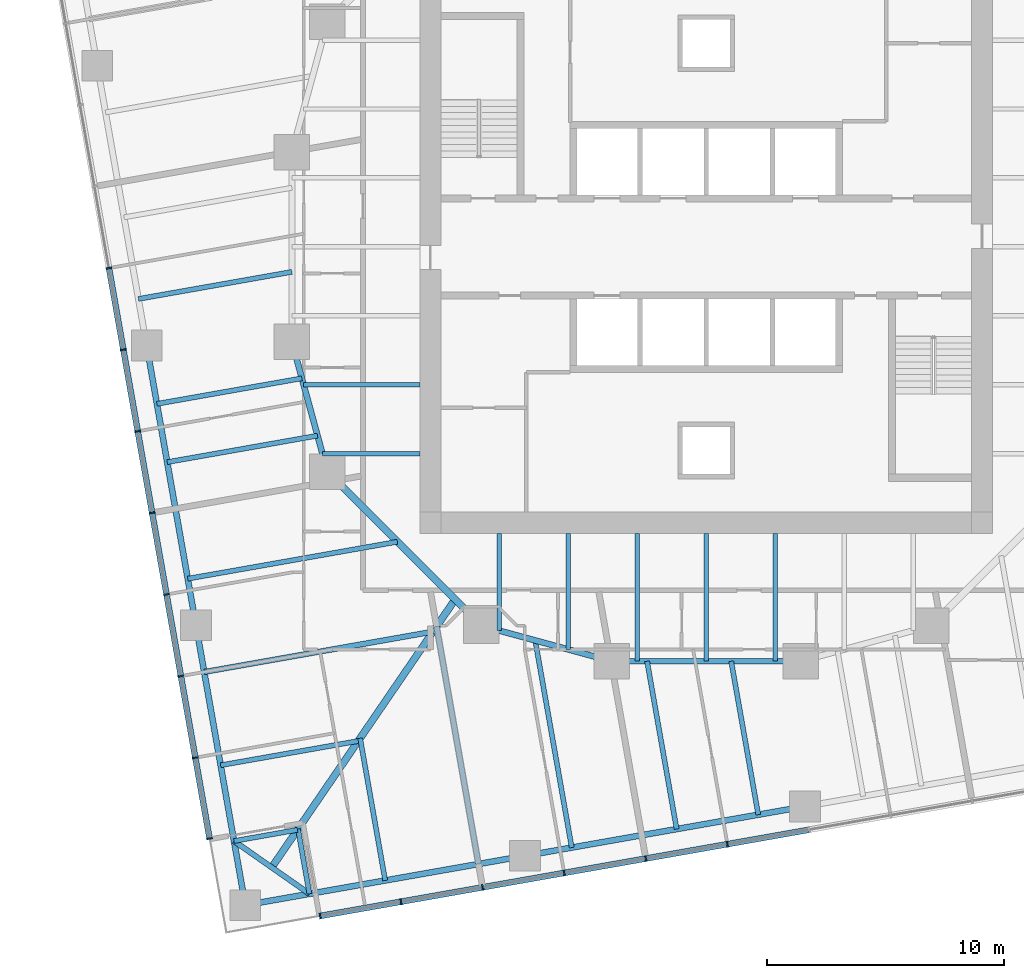
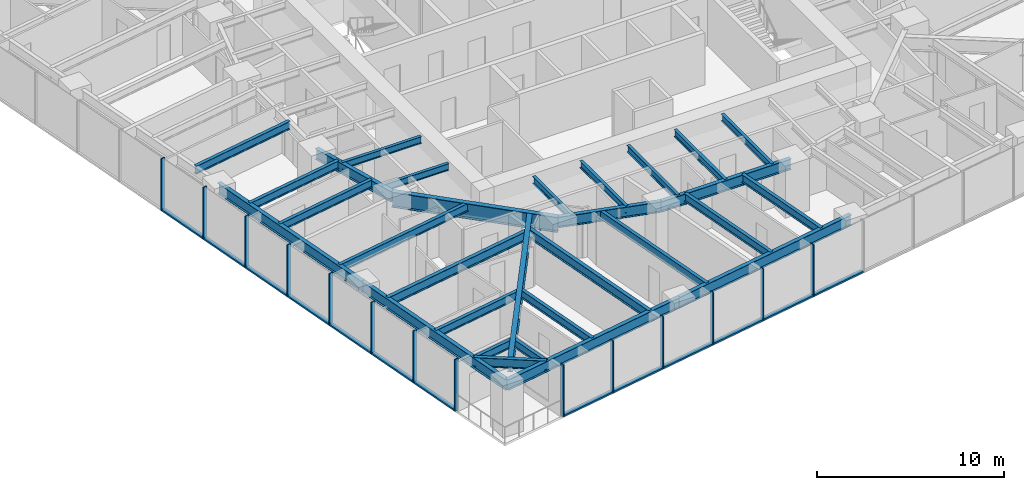
# One storey, part 2 of 14: 30 beams, 27 members, 2 elements without a shape of their own.
"""IFC4 building model written with IfcOpenShell, lengths in metres."""

import ifcopenshell
import ifcopenshell.guid

model = None  # the IFC model being written
_history = None  # IfcOwnerHistory: only IFC2X3 demands one
_inside = {}  # id of a spatial element -> (the spatial element, [elements in it])
_under = {}  # id of a project, library or spatial element -> (it, [spatial elements below it])
_declared = {}  # id of a project -> (the project, [libraries it declares])
_typed = {}  # id of a type object -> (the type object, [elements of that type])
_made_of = {}  # id of a material, layer set ... -> (it, [elements and type objects made of it])


def new_model(schema):
    """Start an empty IFC model of exactly this schema.

    Asked for "IFC4X3", IfcOpenShell would pick the latest addendum, in which some entities
    have other attributes; the version numbers below select the first issue.
    IFC2X3 requires an IfcOwnerHistory on every rooted entity: one is made here for all.
    """
    global model, _history
    if schema == "IFC4X3":
        model = ifcopenshell.file(schema_version=(4, 3, 0, 0))
    else:
        model = ifcopenshell.file(schema=schema)
    _inside.clear()
    _under.clear()
    _declared.clear()
    _typed.clear()
    _made_of.clear()
    _history = None
    if model.schema == "IFC2X3":
        org = make("IfcOrganization", Name="unknown")
        user = make(
            "IfcPersonAndOrganization",
            ThePerson=make("IfcPerson", FamilyName="unknown"),
            TheOrganization=org,
        )
        app = make(
            "IfcApplication",
            ApplicationDeveloper=org,
            Version="unknown",
            ApplicationFullName="unknown",
            ApplicationIdentifier="unknown",
        )
        _history = make(
            "IfcOwnerHistory",
            OwningUser=user,
            OwningApplication=app,
            ChangeAction="ADDED",
            CreationDate=0,
        )
    return model


def make(cls, **values):
    """One entity of the class cls with the attributes given. An attribute that is None is left unset."""
    return model.create_entity(
        cls, **{name: value for name, value in values.items() if value is not None}
    )


def rooted(cls, **values):
    """An entity with a GlobalId (a new one), such as an element, a storey or a relation."""
    return make(cls, GlobalId=ifcopenshell.guid.new(), OwnerHistory=_history, **values)


def si_unit(unit_type, name, prefix=None):
    """IfcSIUnit, for example si_unit("LENGTHUNIT", "METRE", prefix="MILLI")."""
    return make("IfcSIUnit", UnitType=unit_type, Prefix=prefix, Name=name)


def assignment(units):
    """IfcUnitAssignment: the units of a project."""
    return None if units is None else make("IfcUnitAssignment", Units=units)


def point(xyz):
    """IfcCartesianPoint."""
    return None if xyz is None else make("IfcCartesianPoint", Coordinates=xyz)


def direction(xyz):
    """IfcDirection."""
    return None if xyz is None else make("IfcDirection", DirectionRatios=xyz)


def frame(location, z_axis=None, x_axis=None):
    """IfcAxis2Placement3D, a coordinate frame: its origin and axes. An axis left out is left unset."""
    return make(
        "IfcAxis2Placement3D",
        Location=point(location),
        Axis=direction(z_axis),
        RefDirection=direction(x_axis),
    )


def frame_2d(location, x_axis=None):
    """IfcAxis2Placement2D, a coordinate frame in the plane: its origin and x axis."""
    return make(
        "IfcAxis2Placement2D", Location=point(location), RefDirection=direction(x_axis)
    )


def origin():
    """The frame at (0, 0, 0) with its axes left unset."""
    return frame((0.0, 0.0, 0.0))


def origin_2d():
    """The frame at (0, 0) in the plane with its x axis left unset."""
    return frame_2d((0.0, 0.0))


def place(relative_to, where):
    """IfcLocalPlacement: puts the frame where relative to a parent placement (None: the world)."""
    return make(
        "IfcLocalPlacement", PlacementRelTo=relative_to, RelativePlacement=where
    )


def context(
    kind, dimensions, precision=None, world=None, true_north=None, identifier=None
):
    """IfcGeometricRepresentationContext, for example the 3D "Model" context."""
    return make(
        "IfcGeometricRepresentationContext",
        ContextIdentifier=identifier,
        ContextType=kind,
        CoordinateSpaceDimension=dimensions,
        Precision=precision,
        WorldCoordinateSystem=world,
        TrueNorth=true_north,
    )


def subcontext(parent, identifier, kind, view, scale=None):
    """IfcGeometricRepresentationSubContext, for example "Body" below "Model"."""
    return make(
        "IfcGeometricRepresentationSubContext",
        ContextIdentifier=identifier,
        ContextType=kind,
        ParentContext=parent,
        TargetScale=scale,
        TargetView=view,
    )


def project(units=None, contexts=None):
    """IfcProject with its units and contexts."""
    return rooted(
        "IfcProject",
        Name="project",
        RepresentationContexts=contexts,
        UnitsInContext=assignment(units),
    )


def spatial(cls, under=None, at=None, **own):
    """A site, building, storey or space (cls), placed at a placement, below another one or the project."""
    s = rooted(cls, ObjectPlacement=at, **own)
    if under is not None:
        _under.setdefault(under.id(), (under, []))[1].append(s)
    return s


def profile(cls, at=None, kind="AREA", **sizes):
    """A parametric profile (cls). Its sizes go by their IFC names, for example OverallWidth=200.0."""
    return make(cls, ProfileType=kind, Position=at, **sizes)


def rectangle(**sizes):
    """IfcRectangleProfileDef."""
    return profile("IfcRectangleProfileDef", **sizes)


def i_section(**sizes):
    """IfcIShapeProfileDef."""
    return profile("IfcIShapeProfileDef", **sizes)


def extrude(swept, where, along, depth):
    """IfcExtrudedAreaSolid: the profile swept, set in the frame where, extruded along a direction by depth."""
    return make(
        "IfcExtrudedAreaSolid",
        SweptArea=swept,
        Position=where,
        ExtrudedDirection=direction(along),
        Depth=depth,
    )


def shape(context_of_items, identifier, shape_type, items):
    """IfcShapeRepresentation: the items that make up one representation, for example the "Body"."""
    return make(
        "IfcShapeRepresentation",
        ContextOfItems=context_of_items,
        RepresentationIdentifier=identifier,
        RepresentationType=shape_type,
        Items=items,
    )


def material(Name=None, Category=None):
    """IfcMaterial."""
    return make("IfcMaterial", Name=Name, Category=Category)


def material_profile(
    of_material, cross_section, Name=None, Category=None, Priority=None
):
    """IfcMaterialProfile: a cross section and its material."""
    return make(
        "IfcMaterialProfile",
        Name=Name,
        Material=of_material,
        Profile=cross_section,
        Priority=Priority,
        Category=Category,
    )


def profile_set(profiles, Name=None, composite=None):
    """IfcMaterialProfileSet."""
    return make(
        "IfcMaterialProfileSet",
        Name=Name,
        MaterialProfiles=profiles,
        CompositeProfile=composite,
    )


def made_of(thing, what):
    """Note that an element or type object is made of a material, layer set ...; save() writes the relation."""
    if what is not None:
        _made_of.setdefault(what.id(), (what, []))[1].append(thing)
    return thing


def type_object(cls, material=None, **own):
    """A type object (cls), such as IfcWallType, which elements share."""
    return made_of(rooted(cls, **own), material)


def element(
    cls,
    number,
    at=None,
    inside=None,
    cuts=None,
    type_object=None,
    material=None,
    context=None,
    identifier="Body",
    shape_type=None,
    held_by="IfcProductDefinitionShape",
    body=None,
    shapes=None,
    **own,
):
    """One element of the class cls, such as IfcWall. Its Tag is "e" and its number.

    at: its placement. inside: the storey or other place that contains it. cuts: it is an
    opening in that element (IfcRelVoidsElement). A single representation is given by context,
    identifier, shape_type and body (its items); several are given by shapes. held_by: the class
    of the entity that holds the representations. save() writes the other relations.
    """
    e = rooted(cls, Tag="e%d" % number, ObjectPlacement=at, **own)
    if body is not None:
        shapes = [shape(context, identifier, shape_type, body)]
    if shapes is not None:
        e.Representation = make(held_by, Representations=shapes)
    if inside is not None:
        _inside.setdefault(inside.id(), (inside, []))[1].append(e)
    if cuts is not None:
        rooted(
            "IfcRelVoidsElement", RelatingBuildingElement=cuts, RelatedOpeningElement=e
        )
    if type_object is not None:
        _typed.setdefault(type_object.id(), (type_object, []))[1].append(e)
    return made_of(e, material)


def aggregate(whole, parts):
    """IfcRelAggregates: a whole, such as a stair, and the parts it consists of."""
    return rooted("IfcRelAggregates", RelatingObject=whole, RelatedObjects=parts)


def save(model, path):
    """Write the relations noted so far, then the file.

    IfcRelAggregates (storeys below a building ...), IfcRelContainedInSpatialStructure (elements
    in a storey), IfcRelDefinesByType, IfcRelAssociatesMaterial and IfcRelDeclares: one each for
    every whole, place, type object, material and project.
    """
    for whole, parts in _under.values():
        aggregate(whole, parts)
    for where, things in _inside.values():
        rooted(
            "IfcRelContainedInSpatialStructure",
            RelatedElements=things,
            RelatingStructure=where,
        )
    for kind, things in _typed.values():
        rooted("IfcRelDefinesByType", RelatedObjects=things, RelatingType=kind)
    for what, things in _made_of.values():
        rooted("IfcRelAssociatesMaterial", RelatedObjects=things, RelatingMaterial=what)
    for by, libraries in _declared.values():
        rooted("IfcRelDeclares", RelatingContext=by, RelatedDefinitions=libraries)
    model.write(path)


model = new_model("IFC4")

# Units and contexts
model_context = context("Model", 3, precision=1e-05, world=origin(), true_north=direction((0.0, 1.0)))
body_context = subcontext(model_context, "Body", "Model", "MODEL_VIEW")
ifc_project = project(units=[si_unit("LENGTHUNIT", "METRE"), si_unit("AREAUNIT", "SQUARE_METRE"), si_unit("VOLUMEUNIT", "CUBIC_METRE"), si_unit("PLANEANGLEUNIT", "RADIAN"), si_unit("MASSUNIT", "GRAM", prefix="KILO")], contexts=[model_context])

# Site, building, storey
site_placement = place(None, origin())
site = spatial("IfcSite", under=ifc_project, at=site_placement, CompositionType="ELEMENT")
building_placement = place(site_placement, origin())
building = spatial("IfcBuilding", under=site, at=building_placement, Name="Torsade Residences", CompositionType="ELEMENT")
storey_placement = place(building_placement, frame((0.0, 0.0, 82.800048828125)))
storey = spatial("IfcBuildingStorey", under=building, at=storey_placement, Name="L22", CompositionType="ELEMENT", Elevation=82.800048828125)

# Beams
ifc_material_1 = material(Name="Steel grade 300", Category="steel")
ifc_material_profile_1 = material_profile(ifc_material_1, i_section(OverallWidth=0.300048828125, OverallDepth=0.89990234375, WebThickness=0.011962890625, FlangeThickness=0.02490234375, at=origin_2d()), Name="900WB175")
ifc_profile_set_1 = profile_set([ifc_material_profile_1], Name="Steel grade 300")
beam_type_1 = type_object("IfcBeamType", Name="CORNER GIRDER 900WB175", PredefinedType="BEAM", material=ifc_profile_set_1)
beam_1_placement = place(storey_placement, frame((21.6474609375, 3.7900390625, 2.800048828125), z_axis=(0.564724759437, 0.825279313977, 0.0), x_axis=(-0.825279313977, 0.564724759437, 0.0)))
element("IfcBeam", 1, at=beam_1_placement, inside=storey, type_object=beam_type_1, Name="Corner girder 01 L23", PredefinedType="BEAM", context=body_context, shape_type="SweptSolid", body=[
    extrude(i_section(OverallWidth=0.300048828125, OverallDepth=0.89990234375, WebThickness=0.011962890625, FlangeThickness=0.02490234375, at=origin_2d()), origin(), (0.0, 0.0, 1.0), 13.7138671875),
])
ifc_material_2 = material(Name="Steel grade 300", Category="steel")
ifc_material_profile_2 = material_profile(ifc_material_2, i_section(OverallWidth=0.22802734375, OverallDepth=0.60205078125, WebThickness=0.010498046875, FlangeThickness=0.014892578125, FilletRadius=0.013916015625, at=origin_2d()), Name="610UB101")
ifc_profile_set_2 = profile_set([ifc_material_profile_2], Name="Steel grade 300")
beam_type_2 = type_object("IfcBeamType", Name="CORNER TRIMMER 610UB101", PredefinedType="BEAM", material=ifc_profile_set_2)
beam_2_placement = place(storey_placement, frame((23.240478515625, 2.674560546875, 2.948974609375), z_axis=(-0.819152285145, 0.573576092373, 0.0), x_axis=(-0.573576092373, -0.819152285145, 0.0)))
element("IfcBeam", 2, at=beam_2_placement, inside=storey, type_object=beam_type_2, Name="Corner trimmer 01 L23", PredefinedType="BEAM", context=body_context, shape_type="SweptSolid", body=[
    extrude(i_section(OverallWidth=0.22802734375, OverallDepth=0.60205078125, WebThickness=0.010498046875, FlangeThickness=0.014892578125, FilletRadius=0.013916015625, at=origin_2d()), origin(), (0.0, 0.0, 1.0), 3.88916015625),
])

# Curtain wall, members
ifc_material_3 = material(Name="Aluminium and glass", Category="aluminium")
curtain_wall_type = type_object("IfcCurtainWallType", Name="FRITTED GLASS CURTAIN WALL LOW ZONE", PredefinedType="NOTDEFINED", material=ifc_material_3)
curtain_wall_1_placement = place(storey_placement, origin())
curtain_wall_1 = element("IfcCurtainWall", 3, at=curtain_wall_1_placement, inside=storey, type_object=curtain_wall_type, Name="Curtain wall L22 face 1", PredefinedType="NOTDEFINED")
ifc_material_4 = material(Name="Aluminium mullion", Category="aluminium")
ifc_material_profile_3 = material_profile(ifc_material_4, rectangle(XDim=0.25, YDim=0.06494140625, at=origin_2d()), Name="CURTAIN WALL MULLION 250x65")
ifc_profile_set_3 = profile_set([ifc_material_profile_3], Name="Aluminium mullion")
member_type_1 = type_object("IfcMemberType", Name="CURTAIN WALL MULLION 250x65", PredefinedType="MULLION", material=ifc_profile_set_3)
member_1_placement = place(storey_placement, frame((23.692138671875, 1.73876953125, 0.0), z_axis=(0.0, 0.0, 1.0), x_axis=(-0.173648192638, 0.984807750372, 0.0)))
member_1 = element("IfcMember", 4, at=member_1_placement, type_object=member_type_1, Name="Mullion 1", PredefinedType="MULLION", context=body_context, shape_type="SweptSolid", body=[
    extrude(rectangle(XDim=0.25, YDim=0.06494140625, at=origin_2d()), origin(), (0.0, 0.0, 1.0), 3.39990234375),
])
member_2_placement = place(storey_placement, frame((27.107177734375, 2.341064453125, 0.0), z_axis=(0.0, 0.0, 1.0), x_axis=(-0.173648192638, 0.984807750372, 0.0)))
member_2 = element("IfcMember", 5, at=member_2_placement, type_object=member_type_1, Name="Mullion 2", PredefinedType="MULLION", context=body_context, shape_type="SweptSolid", body=[
    extrude(rectangle(XDim=0.25, YDim=0.06494140625, at=origin_2d()), origin(), (0.0, 0.0, 1.0), 3.39990234375),
])
member_3_placement = place(storey_placement, frame((30.553955078125, 2.94873046875, 0.0), z_axis=(0.0, 0.0, 1.0), x_axis=(-0.173648192638, 0.984807750372, 0.0)))
member_3 = element("IfcMember", 6, at=member_3_placement, type_object=member_type_1, Name="Mullion 3", PredefinedType="MULLION", context=body_context, shape_type="SweptSolid", body=[
    extrude(rectangle(XDim=0.25, YDim=0.06494140625, at=origin_2d()), origin(), (0.0, 0.0, 1.0), 3.39990234375),
])
member_4_placement = place(storey_placement, frame((34.000732421875, 3.556396484375, 0.0), z_axis=(0.0, 0.0, 1.0), x_axis=(-0.173648192638, 0.984807750372, 0.0)))
member_4 = element("IfcMember", 7, at=member_4_placement, type_object=member_type_1, Name="Mullion 4", PredefinedType="MULLION", context=body_context, shape_type="SweptSolid", body=[
    extrude(rectangle(XDim=0.25, YDim=0.06494140625, at=origin_2d()), origin(), (0.0, 0.0, 1.0), 3.39990234375),
])
member_5_placement = place(storey_placement, frame((37.447509765625, 4.164306640625, 0.0), z_axis=(0.0, 0.0, 1.0), x_axis=(-0.173648192638, 0.984807750372, 0.0)))
member_5 = element("IfcMember", 8, at=member_5_placement, type_object=member_type_1, Name="Mullion 5", PredefinedType="MULLION", context=body_context, shape_type="SweptSolid", body=[
    extrude(rectangle(XDim=0.25, YDim=0.06494140625, at=origin_2d()), origin(), (0.0, 0.0, 1.0), 3.39990234375),
])
member_6_placement = place(storey_placement, frame((40.894287109375, 4.77197265625, 0.0), z_axis=(0.0, 0.0, 1.0), x_axis=(-0.173648192638, 0.984807750372, 0.0)))
member_6 = element("IfcMember", 9, at=member_6_placement, type_object=member_type_1, Name="Mullion 6", PredefinedType="MULLION", context=body_context, shape_type="SweptSolid", body=[
    extrude(rectangle(XDim=0.25, YDim=0.06494140625, at=origin_2d()), origin(), (0.0, 0.0, 1.0), 3.39990234375),
])

curtain_wall_2_placement = place(storey_placement, origin())
curtain_wall_2 = element("IfcCurtainWall", 10, at=curtain_wall_2_placement, inside=storey, type_object=curtain_wall_type, Name="Curtain wall L22 face 10", PredefinedType="NOTDEFINED")
member_7_placement = place(storey_placement, frame((14.77197265625, 29.105712890625, 0.0), z_axis=(0.0, 0.0, 1.0), x_axis=(0.984807750372, 0.173648192638, 0.0)))
member_7 = element("IfcMember", 11, at=member_7_placement, type_object=member_type_1, Name="Mullion 6", PredefinedType="MULLION", context=body_context, shape_type="SweptSolid", body=[
    extrude(rectangle(XDim=0.25, YDim=0.06494140625, at=origin_2d()), origin(), (0.0, 0.0, 1.0), 3.39990234375),
])
member_8_placement = place(storey_placement, frame((15.3798828125, 25.65869140625, 0.0), z_axis=(0.0, 0.0, 1.0), x_axis=(0.984807750372, 0.173648192638, 0.0)))
member_8 = element("IfcMember", 12, at=member_8_placement, type_object=member_type_1, Name="Mullion 7", PredefinedType="MULLION", context=body_context, shape_type="SweptSolid", body=[
    extrude(rectangle(XDim=0.25, YDim=0.06494140625, at=origin_2d()), origin(), (0.0, 0.0, 1.0), 3.39990234375),
])
member_9_placement = place(storey_placement, frame((15.987548828125, 22.2119140625, 0.0), z_axis=(0.0, 0.0, 1.0), x_axis=(0.984807750372, 0.173648192638, 0.0)))
member_9 = element("IfcMember", 13, at=member_9_placement, type_object=member_type_1, Name="Mullion 8", PredefinedType="MULLION", context=body_context, shape_type="SweptSolid", body=[
    extrude(rectangle(XDim=0.25, YDim=0.06494140625, at=origin_2d()), origin(), (0.0, 0.0, 1.0), 3.39990234375),
])
member_10_placement = place(storey_placement, frame((16.595458984375, 18.76513671875, 0.0), z_axis=(0.0, 0.0, 1.0), x_axis=(0.984807750372, 0.173648192638, 0.0)))
member_10 = element("IfcMember", 14, at=member_10_placement, type_object=member_type_1, Name="Mullion 9", PredefinedType="MULLION", context=body_context, shape_type="SweptSolid", body=[
    extrude(rectangle(XDim=0.25, YDim=0.06494140625, at=origin_2d()), origin(), (0.0, 0.0, 1.0), 3.39990234375),
])
member_11_placement = place(storey_placement, frame((17.203125, 15.318359375, 0.0), z_axis=(0.0, 0.0, 1.0), x_axis=(0.984807750372, 0.173648192638, 0.0)))
member_11 = element("IfcMember", 15, at=member_11_placement, type_object=member_type_1, Name="Mullion 10", PredefinedType="MULLION", context=body_context, shape_type="SweptSolid", body=[
    extrude(rectangle(XDim=0.25, YDim=0.06494140625, at=origin_2d()), origin(), (0.0, 0.0, 1.0), 3.39990234375),
])
member_12_placement = place(storey_placement, frame((17.810791015625, 11.87158203125, 0.0), z_axis=(0.0, 0.0, 1.0), x_axis=(0.984807750372, 0.173648192638, 0.0)))
member_12 = element("IfcMember", 16, at=member_12_placement, type_object=member_type_1, Name="Mullion 11", PredefinedType="MULLION", context=body_context, shape_type="SweptSolid", body=[
    extrude(rectangle(XDim=0.25, YDim=0.06494140625, at=origin_2d()), origin(), (0.0, 0.0, 1.0), 3.39990234375),
])
member_13_placement = place(storey_placement, frame((18.418701171875, 8.424560546875, 0.0), z_axis=(0.0, 0.0, 1.0), x_axis=(0.984807750372, 0.173648192638, 0.0)))
member_13 = element("IfcMember", 17, at=member_13_placement, type_object=member_type_1, Name="Mullion 12", PredefinedType="MULLION", context=body_context, shape_type="SweptSolid", body=[
    extrude(rectangle(XDim=0.25, YDim=0.06494140625, at=origin_2d()), origin(), (0.0, 0.0, 1.0), 3.39990234375),
])
member_14_placement = place(storey_placement, frame((19.020751953125, 5.009765625, 0.0), z_axis=(0.0, 0.0, 1.0), x_axis=(0.984807750372, 0.173648192638, 0.0)))
member_14 = element("IfcMember", 18, at=member_14_placement, type_object=member_type_1, Name="Mullion 13", PredefinedType="MULLION", context=body_context, shape_type="SweptSolid", body=[
    extrude(rectangle(XDim=0.25, YDim=0.06494140625, at=origin_2d()), origin(), (0.0, 0.0, 1.0), 3.39990234375),
])

# Member
ifc_material_5 = material(Name="Aluminium transom", Category="aluminium")
ifc_material_profile_4 = material_profile(ifc_material_5, rectangle(XDim=0.25, YDim=0.10009765625, at=origin_2d()), Name="CURTAIN WALL TRANSOM 250x100")
ifc_profile_set_4 = profile_set([ifc_material_profile_4], Name="Aluminium transom")
member_type_2 = type_object("IfcMemberType", Name="CURTAIN WALL TRANSOM 250x100", PredefinedType="USERDEFINED", material=ifc_profile_set_4)
member_15_placement = place(storey_placement, frame((23.724365234375, 1.744384765625, 0.050048828125), z_axis=(0.984806666774, 0.173654337918, 0.0), x_axis=(-0.173654337918, 0.984806666774, 0.0)))
member_15 = element("IfcMember", 19, at=member_15_placement, type_object=member_type_2, Name="Transom 1.1", ObjectType="TRANSOM", PredefinedType="USERDEFINED", context=body_context, shape_type="SweptSolid", body=[
    extrude(rectangle(XDim=0.25, YDim=0.10009765625, at=origin_2d()), origin(), (0.0, 0.0, 1.0), 3.40234375),
])

member_16_placement = place(storey_placement, frame((27.13916015625, 2.3466796875, 0.050048828125), z_axis=(0.984810021497, 0.17363531196, 0.0), x_axis=(-0.17363531196, 0.984810021497, 0.0)))
member_16 = element("IfcMember", 20, at=member_16_placement, type_object=member_type_2, Name="Transom 2.1", ObjectType="TRANSOM", PredefinedType="USERDEFINED", context=body_context, shape_type="SweptSolid", body=[
    extrude(rectangle(XDim=0.25, YDim=0.10009765625, at=origin_2d()), origin(), (0.0, 0.0, 1.0), 3.43505859375),
])

member_17_placement = place(storey_placement, frame((30.5859375, 2.954345703125, 0.050048828125), z_axis=(0.984810021497, 0.17363531196, 0.0), x_axis=(-0.17363531196, 0.984810021497, 0.0)))
member_17 = element("IfcMember", 21, at=member_17_placement, type_object=member_type_2, Name="Transom 3.1", ObjectType="TRANSOM", PredefinedType="USERDEFINED", context=body_context, shape_type="SweptSolid", body=[
    extrude(rectangle(XDim=0.25, YDim=0.10009765625, at=origin_2d()), origin(), (0.0, 0.0, 1.0), 3.43505859375),
])

member_18_placement = place(storey_placement, frame((34.03271484375, 3.562255859375, 0.050048828125), z_axis=(0.984810021497, 0.17363531196, 0.0), x_axis=(-0.17363531196, 0.984810021497, 0.0)))
member_18 = element("IfcMember", 22, at=member_18_placement, type_object=member_type_2, Name="Transom 4.1", ObjectType="TRANSOM", PredefinedType="USERDEFINED", context=body_context, shape_type="SweptSolid", body=[
    extrude(rectangle(XDim=0.25, YDim=0.10009765625, at=origin_2d()), origin(), (0.0, 0.0, 1.0), 3.43505859375),
])

member_19_placement = place(storey_placement, frame((37.4794921875, 4.169921875, 0.050048828125), z_axis=(0.984810021497, 0.17363531196, 0.0), x_axis=(-0.17363531196, 0.984810021497, 0.0)))
member_19 = element("IfcMember", 23, at=member_19_placement, type_object=member_type_2, Name="Transom 5.1", ObjectType="TRANSOM", PredefinedType="USERDEFINED", context=body_context, shape_type="SweptSolid", body=[
    extrude(rectangle(XDim=0.25, YDim=0.10009765625, at=origin_2d()), origin(), (0.0, 0.0, 1.0), 3.43505859375),
])

member_20_placement = place(storey_placement, frame((40.92626953125, 4.777587890625, 0.050048828125), z_axis=(0.98479786563, 0.173704242465, 0.0), x_axis=(-0.173704242465, 0.98479786563, 0.0)))
member_20 = element("IfcMember", 24, at=member_20_placement, type_object=member_type_2, Name="Transom 6.1", ObjectType="TRANSOM", PredefinedType="USERDEFINED", context=body_context, shape_type="SweptSolid", body=[
    extrude(rectangle(XDim=0.25, YDim=0.10009765625, at=origin_2d()), origin(), (0.0, 0.0, 1.0), 3.43505859375),
])

aggregate(curtain_wall_1, [member_1, member_2, member_3, member_4, member_5, member_6, member_15, member_16, member_17, member_18, member_19, member_20])

member_21_placement = place(storey_placement, frame((14.777587890625, 29.07373046875, 0.050048828125), z_axis=(0.173704242465, -0.98479786563, 0.0), x_axis=(0.98479786563, 0.173704242465, 0.0)))
member_21 = element("IfcMember", 25, at=member_21_placement, type_object=member_type_2, Name="Transom 6.1", ObjectType="TRANSOM", PredefinedType="USERDEFINED", context=body_context, shape_type="SweptSolid", body=[
    extrude(rectangle(XDim=0.25, YDim=0.10009765625, at=origin_2d()), origin(), (0.0, 0.0, 1.0), 3.43505859375),
])

member_22_placement = place(storey_placement, frame((15.385498046875, 25.626708984375, 0.050048828125), z_axis=(0.17363531196, -0.984810021497, 0.0), x_axis=(0.984810021497, 0.17363531196, 0.0)))
member_22 = element("IfcMember", 26, at=member_22_placement, type_object=member_type_2, Name="Transom 7.1", ObjectType="TRANSOM", PredefinedType="USERDEFINED", context=body_context, shape_type="SweptSolid", body=[
    extrude(rectangle(XDim=0.25, YDim=0.10009765625, at=origin_2d()), origin(), (0.0, 0.0, 1.0), 3.43505859375),
])

member_23_placement = place(storey_placement, frame((15.9931640625, 22.179931640625, 0.050048828125), z_axis=(0.17363531196, -0.984810021497, 0.0), x_axis=(0.984810021497, 0.17363531196, 0.0)))
member_23 = element("IfcMember", 27, at=member_23_placement, type_object=member_type_2, Name="Transom 8.1", ObjectType="TRANSOM", PredefinedType="USERDEFINED", context=body_context, shape_type="SweptSolid", body=[
    extrude(rectangle(XDim=0.25, YDim=0.10009765625, at=origin_2d()), origin(), (0.0, 0.0, 1.0), 3.43505859375),
])

member_24_placement = place(storey_placement, frame((16.60107421875, 18.733154296875, 0.050048828125), z_axis=(0.17363531196, -0.984810021497, 0.0), x_axis=(0.984810021497, 0.17363531196, 0.0)))
member_24 = element("IfcMember", 28, at=member_24_placement, type_object=member_type_2, Name="Transom 9.1", ObjectType="TRANSOM", PredefinedType="USERDEFINED", context=body_context, shape_type="SweptSolid", body=[
    extrude(rectangle(XDim=0.25, YDim=0.10009765625, at=origin_2d()), origin(), (0.0, 0.0, 1.0), 3.43505859375),
])

member_25_placement = place(storey_placement, frame((17.208740234375, 15.286376953125, 0.050048828125), z_axis=(0.17363531196, -0.984810021497, 0.0), x_axis=(0.984810021497, 0.17363531196, 0.0)))
member_25 = element("IfcMember", 29, at=member_25_placement, type_object=member_type_2, Name="Transom 10.1", ObjectType="TRANSOM", PredefinedType="USERDEFINED", context=body_context, shape_type="SweptSolid", body=[
    extrude(rectangle(XDim=0.25, YDim=0.10009765625, at=origin_2d()), origin(), (0.0, 0.0, 1.0), 3.43505859375),
])

member_26_placement = place(storey_placement, frame((17.81640625, 11.839599609375, 0.050048828125), z_axis=(0.173704242465, -0.98479786563, 0.0), x_axis=(0.98479786563, 0.173704242465, 0.0)))
member_26 = element("IfcMember", 30, at=member_26_placement, type_object=member_type_2, Name="Transom 11.1", ObjectType="TRANSOM", PredefinedType="USERDEFINED", context=body_context, shape_type="SweptSolid", body=[
    extrude(rectangle(XDim=0.25, YDim=0.10009765625, at=origin_2d()), origin(), (0.0, 0.0, 1.0), 3.43505859375),
])

member_27_placement = place(storey_placement, frame((18.42431640625, 8.392578125, 0.050048828125), z_axis=(0.173642067011, -0.984808830466, 0.0), x_axis=(0.984808830466, 0.173642067011, 0.0)))
member_27 = element("IfcMember", 31, at=member_27_placement, type_object=member_type_2, Name="Transom 12.1", ObjectType="TRANSOM", PredefinedType="USERDEFINED", context=body_context, shape_type="SweptSolid", body=[
    extrude(rectangle(XDim=0.25, YDim=0.10009765625, at=origin_2d()), origin(), (0.0, 0.0, 1.0), 3.402587890625),
])

aggregate(curtain_wall_2, [member_7, member_8, member_9, member_10, member_11, member_12, member_13, member_14, member_21, member_22, member_23, member_24, member_25, member_26, member_27])

# Beams
ifc_material_6 = material(Name="Steel grade 300", Category="steel")
ifc_material_profile_5 = material_profile(ifc_material_6, i_section(OverallWidth=0.25, OverallDepth=0.699951171875, WebThickness=0.010009765625, FlangeThickness=0.02001953125, at=origin_2d()), Name="700WB130")
ifc_profile_set_5 = profile_set([ifc_material_profile_5], Name="Steel grade 300")
beam_type_3 = type_object("IfcBeamType", Name="EDGE BEAM 700WB130", PredefinedType="SPANDREL", material=ifc_profile_set_5)
for number, where, z_axis, x_axis, name in (
    (32, (20.5322265625, 2.197021484375, 2.89990234375), (0.984808127031, 0.173646056486, 0.0), (-0.173646056486, 0.984808127031, 0.0), "Edge beam 01 L23"),
    (33, (32.349853515625, 4.28076171875, 2.89990234375), (0.984808127031, 0.173646056486, 0.0), (-0.173646056486, 0.984808127031, 0.0), "Edge beam 02 L23"),
):
    element("IfcBeam", number, at=place(storey_placement, frame(where, z_axis=z_axis, x_axis=x_axis)), inside=storey, type_object=beam_type_3, Name=name, PredefinedType="SPANDREL", context=body_context, shape_type="SweptSolid", body=[
        extrude(i_section(OverallWidth=0.25, OverallDepth=0.699951171875, WebThickness=0.010009765625, FlangeThickness=0.02001953125, at=origin_2d()), origin(), (0.0, 0.0, 1.0), 12.0),
    ])
beam_3_placement = place(storey_placement, frame((16.364501953125, 25.83251953125, 2.89990234375), z_axis=(0.173662308598, -0.984805261243, 0.0), x_axis=(0.984805261243, 0.173662308598, 0.0)))
element("IfcBeam", 34, at=beam_3_placement, inside=storey, type_object=beam_type_3, Name="Edge beam 15 L23", PredefinedType="SPANDREL", context=body_context, shape_type="SweptSolid", body=[
    extrude(i_section(OverallWidth=0.25, OverallDepth=0.699951171875, WebThickness=0.010009765625, FlangeThickness=0.02001953125, at=origin_2d()), origin(), (0.0, 0.0, 1.0), 12.000244140625),
])
beam_4_placement = place(storey_placement, frame((18.448486328125, 14.0146484375, 2.89990234375), z_axis=(0.173646056486, -0.984808127031, 0.0), x_axis=(0.984808127031, 0.173646056486, 0.0)))
element("IfcBeam", 35, at=beam_4_placement, inside=storey, type_object=beam_type_3, Name="Edge beam 16 L23", PredefinedType="SPANDREL", context=body_context, shape_type="SweptSolid", body=[
    extrude(i_section(OverallWidth=0.25, OverallDepth=0.699951171875, WebThickness=0.010009765625, FlangeThickness=0.02001953125, at=origin_2d()), origin(), (0.0, 0.0, 1.0), 12.0),
])
ifc_material_7 = material(Name="Steel grade 300", Category="steel")
ifc_material_profile_6 = material_profile(ifc_material_7, i_section(OverallWidth=0.18994140625, OverallDepth=0.4541015625, WebThickness=0.008544921875, FlangeThickness=0.0126953125, FilletRadius=0.011474609375, at=origin_2d()), Name="460UB67.1")
ifc_profile_set_6 = profile_set([ifc_material_profile_6], Name="Steel grade 300")
beam_type_4 = type_object("IfcBeamType", Name="INNER FLOOR BEAM 460UB67.1", PredefinedType="JOIST", material=ifc_profile_set_6)
for number, where, z_axis, x_axis, name in (
    (36, (42.91259765625, 17.89990234375, 3.02294921875), (0.0, -1.0, 0.0), (1.0, 0.0, 0.0), "Inner floor beam IS03 L23"),
    (37, (40.0, 17.89990234375, 3.02294921875), (0.0, -1.0, 0.0), (1.0, 0.0, 0.0), "Inner floor beam IS04 L23"),
    (38, (37.08740234375, 17.89990234375, 3.02294921875), (0.0, -1.0, 0.0), (1.0, 0.0, 0.0), "Inner floor beam IS05 L23"),
):
    element("IfcBeam", number, at=place(storey_placement, frame(where, z_axis=z_axis, x_axis=x_axis)), inside=storey, type_object=beam_type_4, Name=name, PredefinedType="JOIST", context=body_context, shape_type="SweptSolid", body=[
        extrude(i_section(OverallWidth=0.18994140625, OverallDepth=0.4541015625, WebThickness=0.008544921875, FlangeThickness=0.0126953125, FilletRadius=0.011474609375, at=origin_2d()), origin(), (0.0, 0.0, 1.0), 5.39990234375),
    ])
beam_5_placement = place(storey_placement, frame((34.175048828125, 17.89990234375, 3.02294921875), z_axis=(0.0, -1.0, 0.0), x_axis=(1.0, 0.0, 0.0)))
element("IfcBeam", 39, at=beam_5_placement, inside=storey, type_object=beam_type_4, Name="Inner floor beam IS06 L23", PredefinedType="JOIST", context=body_context, shape_type="SweptSolid", body=[
    extrude(i_section(OverallWidth=0.18994140625, OverallDepth=0.4541015625, WebThickness=0.008544921875, FlangeThickness=0.0126953125, FilletRadius=0.011474609375, at=origin_2d()), origin(), (0.0, 0.0, 1.0), 4.902099609375),
])
beam_6_placement = place(storey_placement, frame((31.262451171875, 17.89990234375, 3.02294921875), z_axis=(0.0, -1.0, 0.0), x_axis=(1.0, 0.0, 0.0)))
element("IfcBeam", 40, at=beam_6_placement, inside=storey, type_object=beam_type_4, Name="Inner floor beam IS07 L23", PredefinedType="JOIST", context=body_context, shape_type="SweptSolid", body=[
    extrude(i_section(OverallWidth=0.18994140625, OverallDepth=0.4541015625, WebThickness=0.008544921875, FlangeThickness=0.0126953125, FilletRadius=0.011474609375, at=origin_2d()), origin(), (0.0, 0.0, 1.0), 4.10791015625),
])
beam_7_placement = place(storey_placement, frame((27.89990234375, 24.175048828125, 3.02294921875), z_axis=(-1.0, 0.0, 0.0), x_axis=(0.0, -1.0, 0.0)))
element("IfcBeam", 41, at=beam_7_placement, inside=storey, type_object=beam_type_4, Name="Inner floor beam IW06 L23", PredefinedType="JOIST", context=body_context, shape_type="SweptSolid", body=[
    extrude(i_section(OverallWidth=0.18994140625, OverallDepth=0.4541015625, WebThickness=0.008544921875, FlangeThickness=0.0126953125, FilletRadius=0.011474609375, at=origin_2d()), origin(), (0.0, 0.0, 1.0), 4.902099609375),
])
beam_8_placement = place(storey_placement, frame((27.89990234375, 21.262451171875, 3.02294921875), z_axis=(-1.0, 0.0, 0.0), x_axis=(0.0, -1.0, 0.0)))
element("IfcBeam", 42, at=beam_8_placement, inside=storey, type_object=beam_type_4, Name="Inner floor beam IW07 L23", PredefinedType="JOIST", context=body_context, shape_type="SweptSolid", body=[
    extrude(i_section(OverallWidth=0.18994140625, OverallDepth=0.4541015625, WebThickness=0.008544921875, FlangeThickness=0.0126953125, FilletRadius=0.011474609375, at=origin_2d()), origin(), (0.0, 0.0, 1.0), 4.10791015625),
])
ifc_material_8 = material(Name="Steel grade 300", Category="steel")
ifc_material_profile_7 = material_profile(ifc_material_8, i_section(OverallWidth=0.300048828125, OverallDepth=1.0, WebThickness=0.01611328125, FlangeThickness=0.028076171875, at=origin_2d()), Name="1000WB215")
ifc_profile_set_7 = profile_set([ifc_material_profile_7], Name="Steel grade 300")
beam_type_5 = type_object("IfcBeamType", Name="RING CORNER GIRDER 1000WB215", PredefinedType="BEAM", material=ifc_profile_set_7)
beam_9_placement = place(storey_placement, frame((24.0, 20.5, 2.75), z_axis=(0.707106781187, -0.707106781187, 0.0), x_axis=(0.707106781187, 0.707106781187, 0.0)))
element("IfcBeam", 43, at=beam_9_placement, inside=storey, type_object=beam_type_5, Name="Ring girder IR11 L23", PredefinedType="BEAM", context=body_context, shape_type="SweptSolid", body=[
    extrude(i_section(OverallWidth=0.300048828125, OverallDepth=1.0, WebThickness=0.01611328125, FlangeThickness=0.028076171875, at=origin_2d()), origin(), (0.0, 0.0, 1.0), 9.1923828125),
])
ifc_material_9 = material(Name="Steel grade 300", Category="steel")
ifc_material_profile_8 = material_profile(ifc_material_9, i_section(OverallWidth=0.25, OverallDepth=0.699951171875, WebThickness=0.010009765625, FlangeThickness=0.02001953125, at=origin_2d()), Name="700WB130")
ifc_profile_set_8 = profile_set([ifc_material_profile_8], Name="Steel grade 300")
beam_type_6 = type_object("IfcBeamType", Name="RING GIRDER 700WB130", PredefinedType="BEAM", material=ifc_profile_set_8)
for number, where, z_axis, x_axis, name in (
    (44, (22.5, 26.0, 2.89990234375), (0.263117405792, -0.964763821238, 0.0), (0.964763821238, 0.263117405792, 0.0), "Ring girder IR10 L23"),
    (45, (30.5, 14.0, 2.89990234375), (0.964763821238, -0.263117405792, 0.0), (0.263117405792, 0.964763821238, 0.0), "Ring girder IR12 L23"),
):
    element("IfcBeam", number, at=place(storey_placement, frame(where, z_axis=z_axis, x_axis=x_axis)), inside=storey, type_object=beam_type_6, Name=name, PredefinedType="BEAM", context=body_context, shape_type="SweptSolid", body=[
        extrude(i_section(OverallWidth=0.25, OverallDepth=0.699951171875, WebThickness=0.010009765625, FlangeThickness=0.02001953125, at=origin_2d()), origin(), (0.0, 0.0, 1.0), 5.700927734375),
    ])
beam_10_placement = place(storey_placement, frame((36.0, 12.5, 2.89990234375), z_axis=(1.0, 0.0, 0.0), x_axis=(0.0, 1.0, 0.0)))
element("IfcBeam", 46, at=beam_10_placement, inside=storey, type_object=beam_type_6, Name="Ring girder IR13 L23", PredefinedType="BEAM", context=body_context, shape_type="SweptSolid", body=[
    extrude(i_section(OverallWidth=0.25, OverallDepth=0.699951171875, WebThickness=0.010009765625, FlangeThickness=0.02001953125, at=origin_2d()), origin(), (0.0, 0.0, 1.0), 8.0),
])
ifc_material_10 = material(Name="Steel grade 300", Category="steel")
ifc_material_profile_9 = material_profile(ifc_material_10, i_section(OverallWidth=0.208984375, OverallDepth=0.528076171875, WebThickness=0.009521484375, FlangeThickness=0.01318359375, FilletRadius=0.013916015625, at=origin_2d()), Name="530UB82.0")
ifc_profile_set_9 = profile_set([ifc_material_profile_9], Name="Steel grade 300")
beam_type_7 = type_object("IfcBeamType", Name="SECONDARY BEAM 530UB82.0", PredefinedType="JOIST", material=ifc_profile_set_9)
beam_11_placement = place(storey_placement, frame((23.240478515625, 2.674560546875, 2.98583984375), z_axis=(-0.173705176765, 0.984797700832, 0.0), x_axis=(-0.984797700832, -0.173705176765, 0.0)))
element("IfcBeam", 47, at=beam_11_placement, inside=storey, type_object=beam_type_7, Name="Floor beam FS01 L23", PredefinedType="JOIST", context=body_context, shape_type="SweptSolid", body=[
    extrude(i_section(OverallWidth=0.208984375, OverallDepth=0.528076171875, WebThickness=0.009521484375, FlangeThickness=0.01318359375, FilletRadius=0.013916015625, at=origin_2d()), origin(), (0.0, 0.0, 1.0), 2.780029296875),
])
beam_12_placement = place(storey_placement, frame((26.44091796875, 3.239013671875, 2.98583984375), z_axis=(-0.173639225065, 0.984809331556, 0.0), x_axis=(-0.984809331556, -0.173639225065, 0.0)))
element("IfcBeam", 48, at=beam_12_placement, inside=storey, type_object=beam_type_7, Name="Floor beam FS02 L23", PredefinedType="JOIST", context=body_context, shape_type="SweptSolid", body=[
    extrude(i_section(OverallWidth=0.208984375, OverallDepth=0.528076171875, WebThickness=0.009521484375, FlangeThickness=0.01318359375, FilletRadius=0.013916015625, at=origin_2d()), origin(), (0.0, 0.0, 1.0), 6.100830078125),
])
beam_13_placement = place(storey_placement, frame((34.319580078125, 4.628173828125, 2.98583984375), z_axis=(-0.173667781384, 0.984804296147, 0.0), x_axis=(-0.984804296147, -0.173667781384, 0.0)))
element("IfcBeam", 49, at=beam_13_placement, inside=storey, type_object=beam_type_7, Name="Floor beam FS04 L23", PredefinedType="JOIST", context=body_context, shape_type="SweptSolid", body=[
    extrude(i_section(OverallWidth=0.208984375, OverallDepth=0.528076171875, WebThickness=0.009521484375, FlangeThickness=0.01318359375, FilletRadius=0.013916015625, at=origin_2d()), origin(), (0.0, 0.0, 1.0), 8.885986328125),
])
beam_14_placement = place(storey_placement, frame((38.751220703125, 5.40966796875, 2.98583984375), z_axis=(-0.173651855324, 0.984807104535, 0.0), x_axis=(-0.984807104535, -0.173651855324, 0.0)))
element("IfcBeam", 50, at=beam_14_placement, inside=storey, type_object=beam_type_7, Name="Floor beam FS05 L23", PredefinedType="JOIST", context=body_context, shape_type="SweptSolid", body=[
    extrude(i_section(OverallWidth=0.208984375, OverallDepth=0.528076171875, WebThickness=0.009521484375, FlangeThickness=0.01318359375, FilletRadius=0.013916015625, at=origin_2d()), origin(), (0.0, 0.0, 1.0), 7.19970703125),
])
for number, where, z_axis, x_axis, name in (
    (51, (42.197998046875, 6.017333984375, 2.98583984375), (-0.173647806501, 0.984807818459, 0.0), (-0.984807818459, -0.173647806501, 0.0), "Floor beam FS06 L23"),
    (52, (16.017333984375, 27.802001953125, 2.98583984375), (0.984807818459, 0.173647806501, 0.0), (-0.173647806501, 0.984807818459, 0.0), "Floor beam FW06 L23"),
):
    element("IfcBeam", number, at=place(storey_placement, frame(where, z_axis=z_axis, x_axis=x_axis)), inside=storey, type_object=beam_type_7, Name=name, PredefinedType="JOIST", context=body_context, shape_type="SweptSolid", body=[
        extrude(i_section(OverallWidth=0.208984375, OverallDepth=0.528076171875, WebThickness=0.009521484375, FlangeThickness=0.01318359375, FilletRadius=0.013916015625, at=origin_2d()), origin(), (0.0, 0.0, 1.0), 6.582763671875),
    ])
beam_15_placement = place(storey_placement, frame((16.798828125, 23.370361328125, 2.98583984375), z_axis=(0.984806474989, 0.173655425542, 0.0), x_axis=(-0.173655425542, 0.984806474989, 0.0)))
element("IfcBeam", 53, at=beam_15_placement, inside=storey, type_object=beam_type_7, Name="Floor beam FW07 L23", PredefinedType="JOIST", context=body_context, shape_type="SweptSolid", body=[
    extrude(i_section(OverallWidth=0.208984375, OverallDepth=0.528076171875, WebThickness=0.009521484375, FlangeThickness=0.01318359375, FilletRadius=0.013916015625, at=origin_2d()), origin(), (0.0, 0.0, 1.0), 6.21826171875),
])
beam_16_placement = place(storey_placement, frame((17.23291015625, 20.908447265625, 2.98583984375), z_axis=(0.984810608823, 0.17363198078, 0.0), x_axis=(-0.17363198078, 0.984810608823, 0.0)))
element("IfcBeam", 54, at=beam_16_placement, inside=storey, type_object=beam_type_7, Name="Floor beam FW08 L23", PredefinedType="JOIST", context=body_context, shape_type="SweptSolid", body=[
    extrude(i_section(OverallWidth=0.208984375, OverallDepth=0.528076171875, WebThickness=0.009521484375, FlangeThickness=0.01318359375, FilletRadius=0.013916015625, at=origin_2d()), origin(), (0.0, 0.0, 1.0), 6.4482421875),
])
beam_17_placement = place(storey_placement, frame((18.10107421875, 15.984375, 2.98583984375), z_axis=(0.984809246638, 0.173639706679, 0.0), x_axis=(-0.173639706679, 0.984809246638, 0.0)))
element("IfcBeam", 55, at=beam_17_placement, inside=storey, type_object=beam_type_7, Name="Floor beam FW09 L23", PredefinedType="JOIST", context=body_context, shape_type="SweptSolid", body=[
    extrude(i_section(OverallWidth=0.208984375, OverallDepth=0.528076171875, WebThickness=0.009521484375, FlangeThickness=0.01318359375, FilletRadius=0.013916015625, at=origin_2d()), origin(), (0.0, 0.0, 1.0), 8.989990234375),
])
beam_18_placement = place(storey_placement, frame((19.490234375, 8.10595703125, 2.98583984375), z_axis=(0.984811033899, 0.173629569808, 0.0), x_axis=(-0.173629569808, 0.984811033899, 0.0)))
element("IfcBeam", 56, at=beam_18_placement, inside=storey, type_object=beam_type_7, Name="Floor beam FW11 L23", PredefinedType="JOIST", context=body_context, shape_type="SweptSolid", body=[
    extrude(i_section(OverallWidth=0.208984375, OverallDepth=0.528076171875, WebThickness=0.009521484375, FlangeThickness=0.01318359375, FilletRadius=0.013916015625, at=origin_2d()), origin(), (0.0, 0.0, 1.0), 5.9013671875),
])
beam_19_placement = place(storey_placement, frame((20.0546875, 4.9052734375, 2.98583984375), z_axis=(0.984807941563, 0.17364710834, 0.0), x_axis=(-0.17364710834, 0.984807941563, 0.0)))
element("IfcBeam", 57, at=beam_19_placement, inside=storey, type_object=beam_type_7, Name="Floor beam FW12 L23", PredefinedType="JOIST", context=body_context, shape_type="SweptSolid", body=[
    extrude(i_section(OverallWidth=0.208984375, OverallDepth=0.528076171875, WebThickness=0.009521484375, FlangeThickness=0.01318359375, FilletRadius=0.013916015625, at=origin_2d()), origin(), (0.0, 0.0, 1.0), 2.720458984375),
])
ifc_material_11 = material(Name="Steel grade 300", Category="steel")
ifc_material_profile_10 = material_profile(ifc_material_11, i_section(OverallWidth=0.22900390625, OverallDepth=0.612060546875, WebThickness=0.011962890625, FlangeThickness=0.01953125, FilletRadius=0.013916015625, at=origin_2d()), Name="610UB125")
ifc_profile_set_10 = profile_set([ifc_material_profile_10], Name="Steel grade 300")
beam_type_8 = type_object("IfcBeamType", Name="SECONDARY BEAM 610UB125", PredefinedType="JOIST", material=ifc_profile_set_10)
beam_20_placement = place(storey_placement, frame((30.380126953125, 3.93359375, 2.94384765625), z_axis=(-0.173644522411, 0.984808397525, 0.0), x_axis=(-0.984808397525, -0.173644522411, 0.0)))
element("IfcBeam", 58, at=beam_20_placement, inside=storey, type_object=beam_type_8, Name="Floor beam FS03 L23", PredefinedType="JOIST", context=body_context, shape_type="SweptSolid", body=[
    extrude(i_section(OverallWidth=0.22900390625, OverallDepth=0.612060546875, WebThickness=0.011962890625, FlangeThickness=0.01953125, FilletRadius=0.013916015625, at=origin_2d()), origin(), (0.0, 0.0, 1.0), 10.187744140625),
])
beam_21_placement = place(storey_placement, frame((18.795654296875, 12.045166015625, 2.94384765625), z_axis=(0.984807085789, 0.173651961637, 0.0), x_axis=(-0.173651961637, 0.984807085789, 0.0)))
element("IfcBeam", 59, at=beam_21_placement, inside=storey, type_object=beam_type_8, Name="Floor beam FW10 L23", PredefinedType="JOIST", context=body_context, shape_type="SweptSolid", body=[
    extrude(i_section(OverallWidth=0.22900390625, OverallDepth=0.612060546875, WebThickness=0.011962890625, FlangeThickness=0.01953125, FilletRadius=0.013916015625, at=origin_2d()), origin(), (0.0, 0.0, 1.0), 9.816162109375),
])

save(model, "model.ifc")
